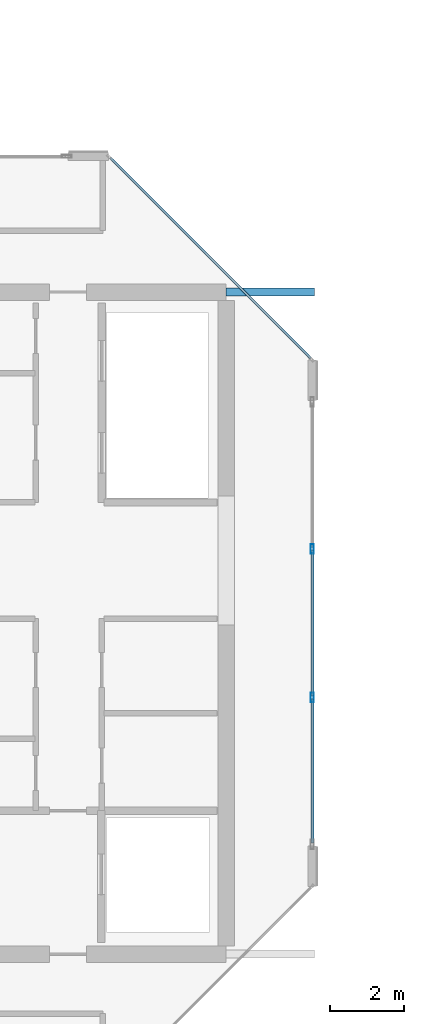
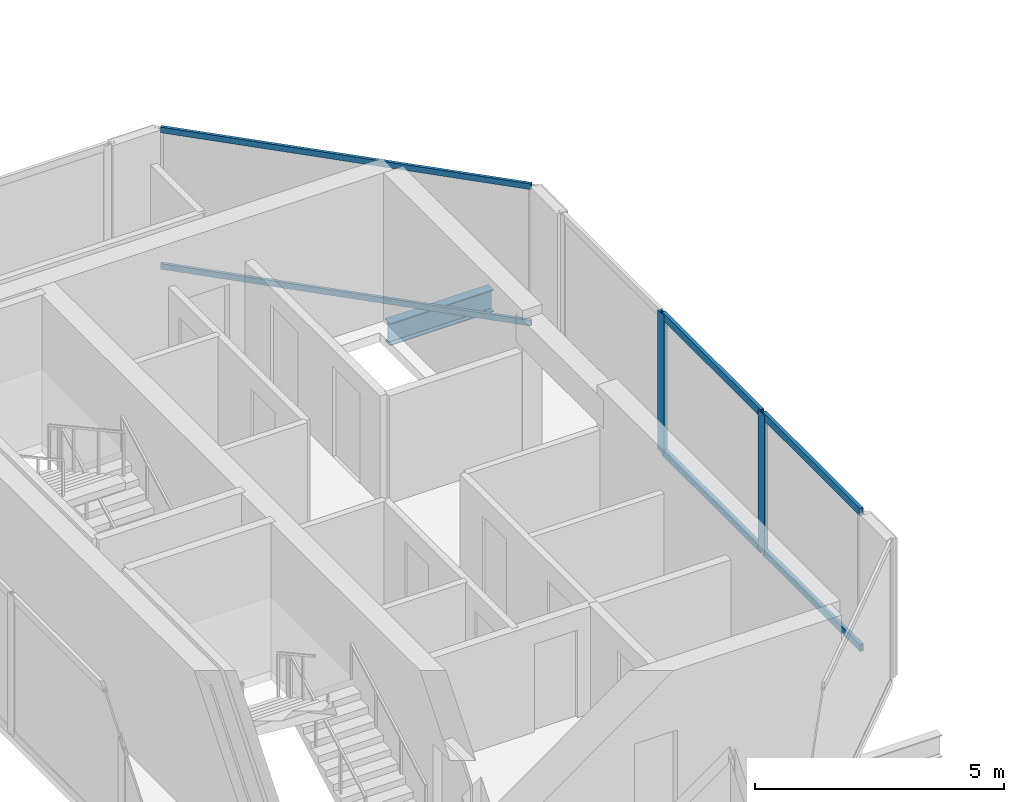
# One storey, part 6 of 28: 8 members, 1 beam, 2 elements without a shape of their own.
"""IFC4 building model written with IfcOpenShell, lengths in metres."""

from ifc_helpers import new_model, si_unit, direction, frame, origin, origin_2d, place, context, subcontext, project, spatial, hollow_rectangle, i_section, extrude, material, layer, layer_set, material_profile, profile_set, type_object, element, aggregate, save


model = new_model("IFC4")

# Units and contexts
model_context = context("Model", 3, precision=1e-05, world=origin(), true_north=direction((0.0, 1.0)))
body_context = subcontext(model_context, "Body", "Model", "MODEL_VIEW")
ifc_project = project(units=[si_unit("LENGTHUNIT", "METRE"), si_unit("AREAUNIT", "SQUARE_METRE"), si_unit("VOLUMEUNIT", "CUBIC_METRE"), si_unit("PLANEANGLEUNIT", "RADIAN"), si_unit("MASSUNIT", "GRAM", prefix="KILO")], contexts=[model_context])

# Site, building, storey
site_placement = place(None, origin())
site = spatial("IfcSite", under=ifc_project, at=site_placement, CompositionType="ELEMENT")
building_placement = place(site_placement, origin())
building = spatial("IfcBuilding", under=site, at=building_placement, Name="Tanjung Sevakor Pilgrim Tower", CompositionType="ELEMENT")
storey_placement = place(building_placement, frame((0.0, 0.0, 249.81005859375)))
storey = spatial("IfcBuildingStorey", under=building, at=storey_placement, Name="L70", CompositionType="ELEMENT", Elevation=249.81005859375)

# Beam
ifc_material_1 = material(Name="Steel S355J2", Category="steel")
ifc_material_profile_1 = material_profile(ifc_material_1, i_section(OverallWidth=0.2119140625, OverallDepth=0.54443359375, WebThickness=0.0126953125, FlangeThickness=0.021240234375, FilletRadius=0.0126953125, at=origin_2d()))
ifc_profile_set_1 = profile_set([ifc_material_profile_1], Name="Steel S355J2")
beam_type = type_object("IfcBeamType", Name="BM-B-G5-UB_533x210x122", PredefinedType="BEAM", material=ifc_profile_set_1)
beam_placement = place(storey_placement, frame((36.0, 42.60009765625, -0.492431640625), z_axis=(1.0, 0.0, 0.0), x_axis=(0.0, 1.0, 0.0)))
element("IfcBeam", 1, at=beam_placement, inside=storey, type_object=beam_type, Name="L70 West Peak Cantilever Girder 2", PredefinedType="BEAM", context=body_context, shape_type="SweptSolid", body=[
    extrude(i_section(OverallWidth=0.2119140625, OverallDepth=0.54443359375, WebThickness=0.0126953125, FlangeThickness=0.021240234375, FilletRadius=0.0126953125, at=origin_2d()), origin(), (0.0, 0.0, 1.0), 2.39990234375),
])

# Curtain wall, members
ifc_material_2 = material(Name="Aluminium 6063-T6 and Low-E Glass", Category="aluminium")
ifc_layer_1 = layer(ifc_material_2, 0.199951171875)
ifc_layer_set_1 = layer_set([ifc_layer_1], Name="CW-SYS-CRNW")
curtain_wall_type_1 = type_object("IfcCurtainWallType", Name="CW-SYS-CRNW", PredefinedType="NOTDEFINED", material=ifc_layer_set_1)
curtain_wall_1_placement = place(storey_placement, origin())
curtain_wall_1 = element("IfcCurtainWall", 2, at=curtain_wall_1_placement, inside=storey, type_object=curtain_wall_type_1, Name="L70 Curtain Wall CW-CRN-L70-WEST-2-1", PredefinedType="NOTDEFINED")
ifc_material_3 = material(Name="Aluminium 6063-T6", Category="aluminium")
ifc_material_profile_2 = material_profile(ifc_material_3, hollow_rectangle(XDim=0.080078125, YDim=0.260009765625, WallThickness=0.0048828125, at=origin_2d()))
ifc_profile_set_2 = profile_set([ifc_material_profile_2], Name="Aluminium 6063-T6")
member_type_1 = type_object("IfcMemberType", Name="TYPE-CWM-3", PredefinedType="MULLION", material=ifc_profile_set_2)
member_1_placement = place(storey_placement, frame((38.340087890625, 31.581787109375, 0.0), z_axis=(0.0, 0.0, 1.0), x_axis=(-1.0, 0.0, 0.0)))
member_1 = element("IfcMember", 3, at=member_1_placement, type_object=member_type_1, Name="CW-CRW mullion 2", PredefinedType="MULLION", context=body_context, shape_type="SweptSolid", body=[
    extrude(hollow_rectangle(XDim=0.080078125, YDim=0.260009765625, WallThickness=0.0048828125, at=origin_2d()), origin(), (0.0, 0.0, 1.0), 3.409912109375),
])
member_2_placement = place(storey_placement, frame((38.340087890625, 35.6181640625, 0.0), z_axis=(0.0, 0.0, 1.0), x_axis=(-1.0, 0.0, 0.0)))
member_2 = element("IfcMember", 4, at=member_2_placement, type_object=member_type_1, Name="CW-CRW mullion 3", PredefinedType="MULLION", context=body_context, shape_type="SweptSolid", body=[
    extrude(hollow_rectangle(XDim=0.080078125, YDim=0.260009765625, WallThickness=0.0048828125, at=origin_2d()), origin(), (0.0, 0.0, 1.0), 3.409912109375),
])

ifc_material_4 = material(Name="Aluminium 6063-T6 and Low-E Glass", Category="aluminium")
ifc_layer_2 = layer(ifc_material_4, 0.179931640625)
ifc_layer_set_2 = layer_set([ifc_layer_2], Name="CW-SYS-CHAM")
curtain_wall_type_2 = type_object("IfcCurtainWallType", Name="CW-SYS-CHAM", PredefinedType="NOTDEFINED", material=ifc_layer_set_2)
curtain_wall_2_placement = place(storey_placement, origin())
curtain_wall_2 = element("IfcCurtainWall", 5, at=curtain_wall_2_placement, inside=storey, type_object=curtain_wall_type_2, Name="L70 Curtain Wall CW-CHM-L70-WEST-3", PredefinedType="NOTDEFINED")
ifc_material_5 = material(Name="Aluminium 6063-T6", Category="aluminium")
ifc_material_profile_3 = material_profile(ifc_material_5, hollow_rectangle(XDim=0.06494140625, YDim=0.139892578125, WallThickness=0.00390625, at=origin_2d()))
ifc_profile_set_3 = profile_set([ifc_material_profile_3], Name="Aluminium 6063-T6")
member_type_2 = type_object("IfcMemberType", Name="TYPE-CWT-1", PredefinedType="USERDEFINED", material=ifc_profile_set_3)
member_3_placement = place(storey_placement, frame((38.2939453125, 40.80029296875, 0.032470703125), z_axis=(-0.707090924819, 0.707122637198, 0.0), x_axis=(-0.707122637198, -0.707090924819, 0.0)))
member_3 = element("IfcMember", 6, at=member_3_placement, type_object=member_type_2, Name="CW-CHM transom 1.1", ObjectType="TRANSOM", PredefinedType="USERDEFINED", context=body_context, shape_type="SweptSolid", body=[
    extrude(hollow_rectangle(XDim=0.06494140625, YDim=0.139892578125, WallThickness=0.00390625, at=origin_2d()), origin(), (0.0, 0.0, 1.0), 7.698486328125),
])
member_4_placement = place(storey_placement, frame((38.2939453125, 40.80029296875, 3.37744140625), z_axis=(-0.707090924819, 0.707122637198, 0.0), x_axis=(-0.707122637198, -0.707090924819, 0.0)))
member_4 = element("IfcMember", 7, at=member_4_placement, type_object=member_type_2, Name="CW-CHM transom 1.2", ObjectType="TRANSOM", PredefinedType="USERDEFINED", context=body_context, shape_type="SweptSolid", body=[
    extrude(hollow_rectangle(XDim=0.06494140625, YDim=0.139892578125, WallThickness=0.00390625, at=origin_2d()), origin(), (0.0, 0.0, 1.0), 7.698486328125),
])
aggregate(curtain_wall_2, [member_3, member_4])

# Member
ifc_material_6 = material(Name="Aluminium 6063-T6", Category="aluminium")
ifc_material_profile_4 = material_profile(ifc_material_6, hollow_rectangle(XDim=0.080078125, YDim=0.179931640625, WallThickness=0.0048828125, at=origin_2d()))
ifc_profile_set_4 = profile_set([ifc_material_profile_4], Name="Aluminium 6063-T6")
member_type_3 = type_object("IfcMemberType", Name="TYPE-CWT-3", PredefinedType="USERDEFINED", material=ifc_profile_set_4)
member_5_placement = place(storey_placement, frame((38.340087890625, 27.62548828125, 0.0400390625), z_axis=(0.0, 1.0, 0.0), x_axis=(-1.0, 0.0, 0.0)))
member_5 = element("IfcMember", 8, at=member_5_placement, type_object=member_type_3, Name="CW-CRW transom 1.1", ObjectType="TRANSOM", PredefinedType="USERDEFINED", context=body_context, shape_type="SweptSolid", body=[
    extrude(hollow_rectangle(XDim=0.080078125, YDim=0.179931640625, WallThickness=0.0048828125, at=origin_2d()), origin(), (0.0, 0.0, 1.0), 3.916259765625),
])

member_6_placement = place(storey_placement, frame((38.340087890625, 27.62548828125, 3.369873046875), z_axis=(0.0, 1.0, 0.0), x_axis=(-1.0, 0.0, 0.0)))
member_6 = element("IfcMember", 9, at=member_6_placement, type_object=member_type_3, Name="CW-CRW transom 1.2", ObjectType="TRANSOM", PredefinedType="USERDEFINED", context=body_context, shape_type="SweptSolid", body=[
    extrude(hollow_rectangle(XDim=0.080078125, YDim=0.179931640625, WallThickness=0.0048828125, at=origin_2d()), origin(), (0.0, 0.0, 1.0), 3.916259765625),
])

member_7_placement = place(storey_placement, frame((38.340087890625, 31.621826171875, 0.0400390625), z_axis=(0.0, 1.0, 0.0), x_axis=(-1.0, 0.0, 0.0)))
member_7 = element("IfcMember", 10, at=member_7_placement, type_object=member_type_3, Name="CW-CRW transom 2.1", ObjectType="TRANSOM", PredefinedType="USERDEFINED", context=body_context, shape_type="SweptSolid", body=[
    extrude(hollow_rectangle(XDim=0.080078125, YDim=0.179931640625, WallThickness=0.0048828125, at=origin_2d()), origin(), (0.0, 0.0, 1.0), 3.956298828125),
])

member_8_placement = place(storey_placement, frame((38.340087890625, 31.621826171875, 3.369873046875), z_axis=(0.0, 1.0, 0.0), x_axis=(-1.0, 0.0, 0.0)))
member_8 = element("IfcMember", 11, at=member_8_placement, type_object=member_type_3, Name="CW-CRW transom 2.2", ObjectType="TRANSOM", PredefinedType="USERDEFINED", context=body_context, shape_type="SweptSolid", body=[
    extrude(hollow_rectangle(XDim=0.080078125, YDim=0.179931640625, WallThickness=0.0048828125, at=origin_2d()), origin(), (0.0, 0.0, 1.0), 3.956298828125),
])

aggregate(curtain_wall_1, [member_1, member_2, member_5, member_6, member_7, member_8])

save(model, "model.ifc")
